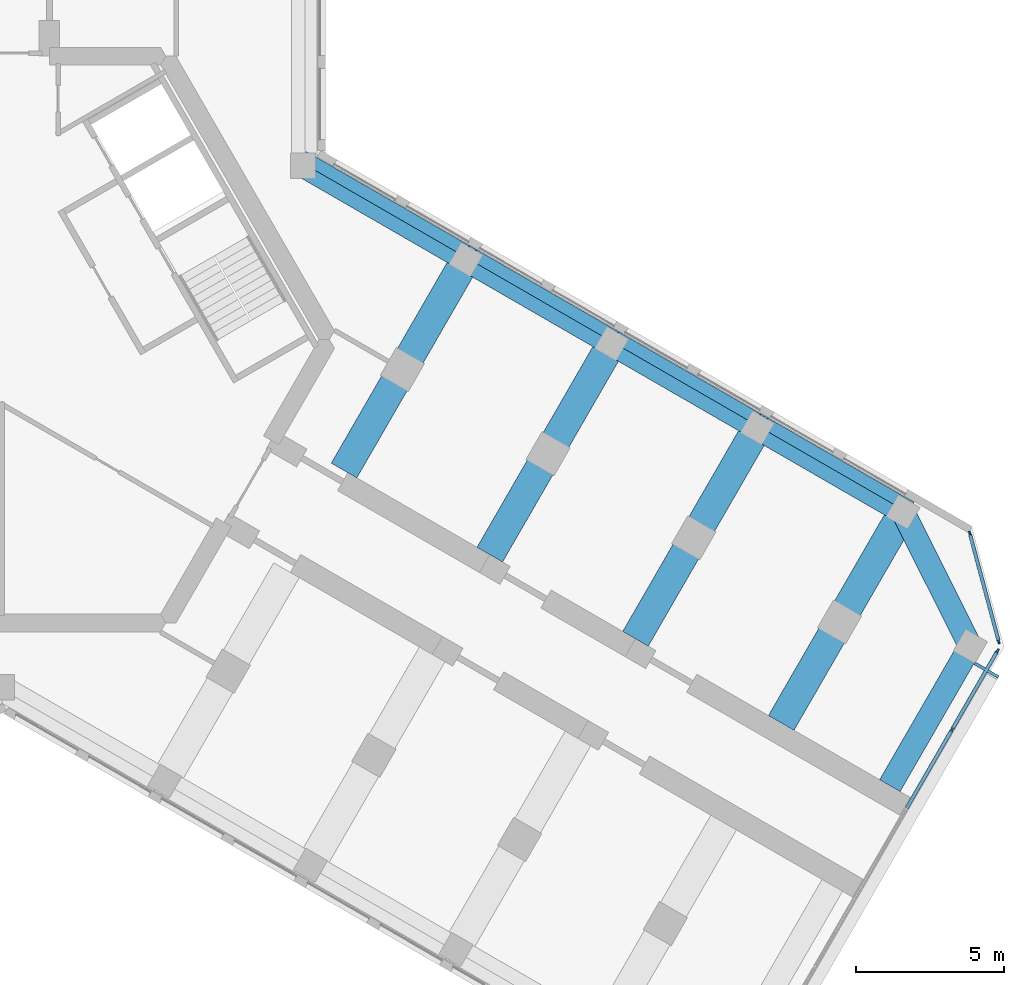
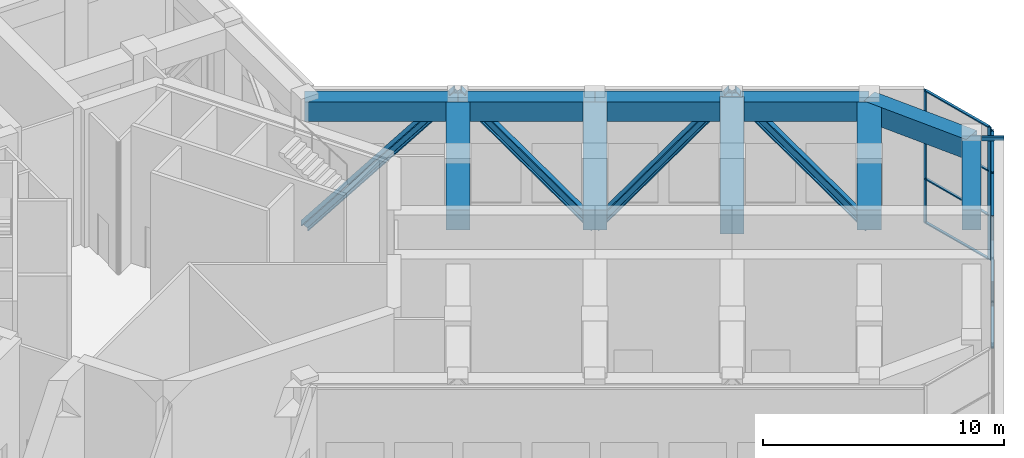
# One storey, part 5 of 12: 19 members, 10 beams, 2 elements without a shape of their own.
"""IFC4 building model written with IfcOpenShell, lengths in metres."""

from ifc_helpers import new_model, si_unit, direction, frame, origin, origin_2d, place, context, subcontext, project, spatial, rectangle, hollow_rectangle, i_section, extrude, material, material_profile, profile_set, type_object, element, aggregate, save


model = new_model("IFC4")

# Units and contexts
model_context = context("Model", 3, precision=1e-05, world=origin(), true_north=direction((0.0, 1.0)))
body_context = subcontext(model_context, "Body", "Model", "MODEL_VIEW")
ifc_project = project(units=[si_unit("LENGTHUNIT", "METRE"), si_unit("AREAUNIT", "SQUARE_METRE"), si_unit("VOLUMEUNIT", "CUBIC_METRE"), si_unit("PLANEANGLEUNIT", "RADIAN"), si_unit("MASSUNIT", "GRAM", prefix="KILO")], contexts=[model_context])

# Site, building, storey
site_placement = place(None, origin())
site = spatial("IfcSite", under=ifc_project, at=site_placement, CompositionType="ELEMENT")
building_placement = place(site_placement, origin())
building = spatial("IfcBuilding", under=site, at=building_placement, Name="Kosmar Iwan School Tower", CompositionType="ELEMENT")
storey_placement = place(building_placement, frame((0.0, 0.0, 260.39990234375)))
storey = spatial("IfcBuildingStorey", under=building, at=storey_placement, Name="L66", CompositionType="ELEMENT", Elevation=260.39990234375)

# Members
ifc_material_1 = material(Name="Steel S355", Category="steel")
ifc_material_profile_1 = material_profile(ifc_material_1, i_section(OverallWidth=0.404052734375, OverallDepth=0.406982421875, WebThickness=0.027099609375, FlangeThickness=0.043701171875, FilletRadius=0.014892578125, at=origin_2d()), Name="HD 400x347")
ifc_profile_set_1 = profile_set([ifc_material_profile_1], Name="Steel S355")
member_type_1 = type_object("IfcMemberType", Name="Belt truss diagonal HD 400x347", PredefinedType="BRACE", material=ifc_profile_set_1)
member_1_placement = place(storey_placement, frame((10.333984375, 6.12109375, 0.0), z_axis=(0.58945737682, -0.340314715823, 0.732615789556), x_axis=(0.49999045822, 0.866030912664, 0.0)))
element("IfcMember", 1, at=member_1_placement, inside=storey, type_object=member_type_1, Name="Belt truss diagonal CL1", PredefinedType="BRACE", context=body_context, shape_type="SweptSolid", body=[
    extrude(i_section(OverallWidth=0.404052734375, OverallDepth=0.406982421875, WebThickness=0.027099609375, FlangeThickness=0.043701171875, FilletRadius=0.014892578125, at=origin_2d()), origin(), (0.0, 0.0, 1.0), 9.345458984375),
])
member_2_placement = place(storey_placement, frame((15.8427734375, 2.940673828125, 6.8466796875), z_axis=(0.554089507347, -0.319918933121, -0.768528915577), x_axis=(0.50001782563, 0.866015111908, 0.0)))
element("IfcMember", 2, at=member_2_placement, inside=storey, type_object=member_type_1, Name="Belt truss diagonal CL2", PredefinedType="BRACE", context=body_context, shape_type="SweptSolid", body=[
    extrude(i_section(OverallWidth=0.404052734375, OverallDepth=0.406982421875, WebThickness=0.027099609375, FlangeThickness=0.043701171875, FilletRadius=0.014892578125, at=origin_2d()), origin(), (0.0, 0.0, 1.0), 8.90869140625),
])
member_3_placement = place(storey_placement, frame((20.779052734375, 0.090576171875, 0.0), z_axis=(0.554108497746, -0.319914075306, 0.768517245835), x_axis=(0.499999279071, 0.866025820012, 0.0)))
element("IfcMember", 3, at=member_3_placement, inside=storey, type_object=member_type_1, Name="Belt truss diagonal CL3", PredefinedType="BRACE", context=body_context, shape_type="SweptSolid", body=[
    extrude(i_section(OverallWidth=0.404052734375, OverallDepth=0.406982421875, WebThickness=0.027099609375, FlangeThickness=0.043701171875, FilletRadius=0.014892578125, at=origin_2d()), origin(), (0.0, 0.0, 1.0), 8.908935546875),
])
member_4_placement = place(storey_placement, frame((25.715576171875, -2.759521484375, 6.8466796875), z_axis=(0.554094365009, -0.319894333189, -0.768535653213), x_axis=(0.49998570155, 0.866033658841, 0.0)))
element("IfcMember", 4, at=member_4_placement, inside=storey, type_object=member_type_1, Name="Belt truss diagonal CL4", PredefinedType="BRACE", context=body_context, shape_type="SweptSolid", body=[
    extrude(i_section(OverallWidth=0.404052734375, OverallDepth=0.406982421875, WebThickness=0.027099609375, FlangeThickness=0.043701171875, FilletRadius=0.014892578125, at=origin_2d()), origin(), (0.0, 0.0, 1.0), 8.90869140625),
])

# Beams
ifc_material_2 = material(Name="Concrete C50/60", Category="concrete")
ifc_material_profile_2 = material_profile(ifc_material_2, rectangle(XDim=0.800048828125, YDim=1.0, at=origin_2d()), Name="RC 800x1000 + HD 400x634")
ifc_profile_set_2 = profile_set([ifc_material_profile_2], Name="Concrete C50/60")
beam_type_1 = type_object("IfcBeamType", Name="Composite edge beam 800x1000 HD 400x634", PredefinedType="BEAM", material=ifc_profile_set_2)
beam_1_placement = place(storey_placement, frame((10.199951171875, 5.888916015625, 6.25), z_axis=(0.866030912664, -0.49999045822, 0.0), x_axis=(0.49999045822, 0.866030912664, 0.0)))
element("IfcBeam", 5, at=beam_1_placement, inside=storey, type_object=beam_type_1, Name="Edge beam CL1", PredefinedType="BEAM", context=body_context, shape_type="SweptSolid", body=[
    extrude(rectangle(XDim=0.800048828125, YDim=1.0, at=origin_2d()), origin(), (0.0, 0.0, 1.0), 6.36083984375),
])
beam_2_placement = place(storey_placement, frame((15.708740234375, 2.70849609375, 6.25), z_axis=(0.866025820012, -0.499999279071, 0.0), x_axis=(0.499999279071, 0.866025820012, 0.0)))
element("IfcBeam", 6, at=beam_2_placement, inside=storey, type_object=beam_type_1, Name="Edge beam CL2", PredefinedType="BEAM", context=body_context, shape_type="SweptSolid", body=[
    extrude(rectangle(XDim=0.800048828125, YDim=1.0, at=origin_2d()), origin(), (0.0, 0.0, 1.0), 5.7001953125),
])
for number, where, z_axis, x_axis, name in (
    (7, (20.645263671875, -0.1416015625, 6.25), (0.866033658841, -0.49998570155, 0.0), (0.49998570155, 0.866033658841, 0.0), "Edge beam CL3"),
    (8, (25.58154296875, -2.991455078125, 6.25), (0.866015111908, -0.50001782563, 0.0), (0.50001782563, 0.866015111908, 0.0), "Edge beam CL4"),
):
    element("IfcBeam", number, at=place(storey_placement, frame(where, z_axis=z_axis, x_axis=x_axis)), inside=storey, type_object=beam_type_1, Name=name, PredefinedType="BEAM", context=body_context, shape_type="SweptSolid", body=[
        extrude(rectangle(XDim=0.800048828125, YDim=1.0, at=origin_2d()), origin(), (0.0, 0.0, 1.0), 5.699951171875),
    ])
ifc_material_3 = material(Name="Concrete C50/60", Category="concrete")
ifc_material_profile_3 = material_profile(ifc_material_3, rectangle(XDim=1.0, YDim=1.199951171875, at=origin_2d()), Name="RC 1000x1200 + HD 400x634")
ifc_profile_set_3 = profile_set([ifc_material_profile_3], Name="Concrete C50/60")
beam_type_2 = type_object("IfcBeamType", Name="Composite transfer beam 1000x1200 HD 400x634", PredefinedType="BEAM", material=ifc_profile_set_3)
beam_3_placement = place(storey_placement, frame((25.58154296875, -2.991455078125, 6.150146484375), z_axis=(-0.499996545922, -0.866027397988, 0.0), x_axis=(0.866027397988, -0.499996545922, 0.0)))
element("IfcBeam", 9, at=beam_3_placement, inside=storey, type_object=beam_type_2, Name="Transfer beam CL3", PredefinedType="BEAM", context=body_context, shape_type="SweptSolid", body=[
    extrude(rectangle(XDim=1.0, YDim=1.199951171875, at=origin_2d()), origin(), (0.0, 0.0, 1.0), 8.25),
])
ifc_material_4 = material(Name="Concrete C50/60", Category="concrete")
ifc_material_profile_4 = material_profile(ifc_material_4, rectangle(XDim=1.0, YDim=1.0, at=origin_2d()), Name="RC 1000x1000 + HD 400x347")
ifc_profile_set_4 = profile_set([ifc_material_profile_4], Name="Concrete C50/60")
beam_type_3 = type_object("IfcBeamType", Name="Composite transverse beam 1000x1000 HD 400x347", PredefinedType="BEAM", material=ifc_profile_set_4)
beam_4_placement = place(storey_placement, frame((15.708740234375, 2.70849609375, 6.25), z_axis=(-0.499996545922, -0.866027397988, 0.0), x_axis=(0.866027397988, -0.499996545922, 0.0)))
element("IfcBeam", 10, at=beam_4_placement, inside=storey, type_object=beam_type_3, Name="Transverse beam CL1", PredefinedType="BEAM", context=body_context, shape_type="SweptSolid", body=[
    extrude(rectangle(XDim=1.0, YDim=1.0, at=origin_2d()), origin(), (0.0, 0.0, 1.0), 8.25),
])
beam_5_placement = place(storey_placement, frame((20.645263671875, -0.1416015625, 6.25), z_axis=(-0.500009360108, -0.866019999656, 0.0), x_axis=(0.866019999656, -0.500009360108, 0.0)))
element("IfcBeam", 11, at=beam_5_placement, inside=storey, type_object=beam_type_3, Name="Transverse beam CL2", PredefinedType="BEAM", context=body_context, shape_type="SweptSolid", body=[
    extrude(rectangle(XDim=1.0, YDim=1.0, at=origin_2d()), origin(), (0.0, 0.0, 1.0), 8.249755859375),
])
beam_6_placement = place(storey_placement, frame((30.517822265625, -5.841552734375, 6.25), z_axis=(-0.499996545922, -0.866027397988, 0.0), x_axis=(0.866027397988, -0.499996545922, 0.0)))
element("IfcBeam", 12, at=beam_6_placement, inside=storey, type_object=beam_type_3, Name="Transverse beam CL4", PredefinedType="BEAM", context=body_context, shape_type="SweptSolid", body=[
    extrude(rectangle(XDim=1.0, YDim=1.0, at=origin_2d()), origin(), (0.0, 0.0, 1.0), 8.25),
])

# Member
ifc_material_5 = material(Name="Steel S355", Category="steel")
ifc_material_profile_5 = material_profile(ifc_material_5, hollow_rectangle(XDim=0.10009765625, YDim=0.199951171875, WallThickness=0.008056640625, at=origin_2d()), Name="RHS 200x100x8")
ifc_profile_set_5 = profile_set([ifc_material_profile_5], Name="Steel S355")
member_type_2 = type_object("IfcMemberType", Name="Fin bracket RHS 200x100", PredefinedType="USERDEFINED", material=ifc_profile_set_5)
member_5_placement = place(storey_placement, frame((32.9541015625, -10.971923828125, 6.875), z_axis=(0.865943820382, -0.500141279983, 0.0), x_axis=(0.500141279983, 0.865943820382, 0.0)))
element("IfcMember", 13, at=member_5_placement, inside=storey, type_object=member_type_2, Name="Fin bracket L67", ObjectType="FIN BRACKET", PredefinedType="USERDEFINED", context=body_context, shape_type="SweptSolid", body=[
    extrude(hollow_rectangle(XDim=0.10009765625, YDim=0.199951171875, WallThickness=0.008056640625, at=origin_2d()), origin(), (0.0, 0.0, 1.0), 0.925048828125),
])

# Curtain wall, members
ifc_material_6 = material(Name="Black aluminium louvres and glass", Category="aluminium")
curtain_wall_type_1 = type_object("IfcCurtainWallType", Name="Plant floor louvred curtain wall", PredefinedType="USERDEFINED", material=ifc_material_6)
curtain_wall_1_placement = place(storey_placement, origin())
curtain_wall_1 = element("IfcCurtainWall", 14, at=curtain_wall_1_placement, inside=storey, type_object=curtain_wall_type_1, Name="Curtain wall L66-F01", ObjectType="LOUVRED CURTAIN WALL", PredefinedType="USERDEFINED")
ifc_material_7 = material(Name="Black anodised aluminium", Category="aluminium")
ifc_material_profile_6 = material_profile(ifc_material_7, rectangle(XDim=0.06005859375, YDim=0.159912109375, at=origin_2d()), Name="MULLION 60x160")
ifc_profile_set_6 = profile_set([ifc_material_profile_6], Name="Black anodised aluminium")
member_type_3 = type_object("IfcMemberType", Name="Mullion 60x160", PredefinedType="MULLION", material=ifc_profile_set_6)
member_6_placement = place(storey_placement, frame((32.1806640625, -13.21142578125, 0.0), z_axis=(0.0, 0.0, 1.0), x_axis=(-0.866025405329, 0.499999997325, 0.0)))
member_6 = element("IfcMember", 15, at=member_6_placement, type_object=member_type_3, Name="CW4 mullion 5", PredefinedType="MULLION", context=body_context, shape_type="SweptSolid", body=[
    extrude(rectangle(XDim=0.06005859375, YDim=0.159912109375, at=origin_2d()), origin(), (0.0, 0.0, 1.0), 6.75),
])
member_7_placement = place(storey_placement, frame((33.71533203125, -10.55322265625, 0.0), z_axis=(0.0, 0.0, 1.0), x_axis=(-0.866025405329, 0.499999997325, 0.0)))
member_7 = element("IfcMember", 16, at=member_7_placement, type_object=member_type_3, Name="CW4 mullion 6", PredefinedType="MULLION", context=body_context, shape_type="SweptSolid", body=[
    extrude(rectangle(XDim=0.06005859375, YDim=0.159912109375, at=origin_2d()), origin(), (0.0, 0.0, 1.0), 6.75),
])

ifc_material_8 = material(Name="Dark glass in black aluminium frame", Category="aluminium")
curtain_wall_type_2 = type_object("IfcCurtainWallType", Name="Chamfer curtain wall dark glass", PredefinedType="USERDEFINED", material=ifc_material_8)
curtain_wall_2_placement = place(storey_placement, origin())
curtain_wall_2 = element("IfcCurtainWall", 17, at=curtain_wall_2_placement, inside=storey, type_object=curtain_wall_type_2, Name="Curtain wall L66-F02", ObjectType="FACETED CURTAIN WALL", PredefinedType="USERDEFINED")
member_8_placement = place(storey_placement, frame((33.7587890625, -10.2236328125, 0.0), z_axis=(0.0, 0.0, 1.0), x_axis=(-0.965925875495, -0.258818861462, 0.0)))
member_8 = element("IfcMember", 18, at=member_8_placement, type_object=member_type_3, Name="CW2 mullion 1", PredefinedType="MULLION", context=body_context, shape_type="SweptSolid", body=[
    extrude(rectangle(XDim=0.06005859375, YDim=0.159912109375, at=origin_2d()), origin(), (0.0, 0.0, 1.0), 6.75),
])
member_9_placement = place(storey_placement, frame((32.78076171875, -6.5732421875, 0.0), z_axis=(0.0, 0.0, 1.0), x_axis=(-0.965925875495, -0.258818861462, 0.0)))
member_9 = element("IfcMember", 19, at=member_9_placement, type_object=member_type_3, Name="CW2 mullion 2", PredefinedType="MULLION", context=body_context, shape_type="SweptSolid", body=[
    extrude(rectangle(XDim=0.06005859375, YDim=0.159912109375, at=origin_2d()), origin(), (0.0, 0.0, 1.0), 6.75),
])

# Beams
ifc_material_9 = material(Name="Concrete C50/60", Category="concrete")
ifc_material_profile_7 = material_profile(ifc_material_9, rectangle(XDim=0.800048828125, YDim=1.0, at=origin_2d()), Name="RC 800x1000")
ifc_profile_set_7 = profile_set([ifc_material_profile_7], Name="Concrete C50/60")
beam_type_4 = type_object("IfcBeamType", Name="RC tip beam 800x1000", PredefinedType="BEAM", material=ifc_profile_set_7)
beam_7_placement = place(storey_placement, frame((30.517822265625, -5.841552734375, 6.25), z_axis=(0.44809604203, -0.893985423325, 0.0), x_axis=(0.893985423325, 0.44809604203, 0.0)))
element("IfcBeam", 20, at=beam_7_placement, inside=storey, type_object=beam_type_4, Name="Tip beam CL", PredefinedType="BEAM", context=body_context, shape_type="SweptSolid", body=[
    extrude(rectangle(XDim=0.800048828125, YDim=1.0, at=origin_2d()), origin(), (0.0, 0.0, 1.0), 5.08935546875),
])
beam_8_placement = place(storey_placement, frame((32.79833984375, -10.391357421875, 6.25), z_axis=(-0.49996933381, -0.866043108194, 0.0), x_axis=(0.866043108194, -0.49996933381, 0.0)))
element("IfcBeam", 21, at=beam_8_placement, inside=storey, type_object=beam_type_4, Name="Tip beam CL to corridor wall", PredefinedType="BEAM", context=body_context, shape_type="SweptSolid", body=[
    extrude(rectangle(XDim=0.800048828125, YDim=1.0, at=origin_2d()), origin(), (0.0, 0.0, 1.0), 5.449951171875),
])

# Member
ifc_material_10 = material(Name="Black anodised aluminium", Category="aluminium")
ifc_material_profile_8 = material_profile(ifc_material_10, rectangle(XDim=0.1201171875, YDim=0.06005859375, at=origin_2d()), Name="TRANSOM 60x120")
ifc_profile_set_8 = profile_set([ifc_material_profile_8], Name="Black anodised aluminium")
member_type_4 = type_object("IfcMemberType", Name="Transom 60x120", PredefinedType="USERDEFINED", material=ifc_profile_set_8)
member_10_placement = place(storey_placement, frame((30.64599609375, -15.869384765625, 0.030029296875), z_axis=(0.500035348339, 0.866004994449, 0.0), x_axis=(-0.866004994449, 0.500035348339, 0.0)))
member_10 = element("IfcMember", 22, at=member_10_placement, type_object=member_type_4, Name="CW4 transom 4.1", ObjectType="TRANSOM", PredefinedType="USERDEFINED", context=body_context, shape_type="SweptSolid", body=[
    extrude(rectangle(XDim=0.1201171875, YDim=0.06005859375, at=origin_2d()), origin(), (0.0, 0.0, 1.0), 3.039306640625),
])

member_11_placement = place(storey_placement, frame((30.64599609375, -15.869384765625, 3.375), z_axis=(0.500035348339, 0.866004994449, 0.0), x_axis=(-0.866004994449, 0.500035348339, 0.0)))
member_11 = element("IfcMember", 23, at=member_11_placement, type_object=member_type_4, Name="CW4 transom 4.2", ObjectType="TRANSOM", PredefinedType="USERDEFINED", context=body_context, shape_type="SweptSolid", body=[
    extrude(rectangle(XDim=0.1201171875, YDim=0.06005859375, at=origin_2d()), origin(), (0.0, 0.0, 1.0), 3.039306640625),
])

member_12_placement = place(storey_placement, frame((30.64599609375, -15.869384765625, 6.72021484375), z_axis=(0.500035348339, 0.866004994449, 0.0), x_axis=(-0.866004994449, 0.500035348339, 0.0)))
member_12 = element("IfcMember", 24, at=member_12_placement, type_object=member_type_4, Name="CW4 transom 4.3", ObjectType="TRANSOM", PredefinedType="USERDEFINED", context=body_context, shape_type="SweptSolid", body=[
    extrude(rectangle(XDim=0.1201171875, YDim=0.06005859375, at=origin_2d()), origin(), (0.0, 0.0, 1.0), 3.039306640625),
])

member_13_placement = place(storey_placement, frame((32.19580078125, -13.185302734375, 0.030029296875), z_axis=(0.500022102064, 0.866012642776, 0.0), x_axis=(-0.866012642776, 0.500022102064, 0.0)))
member_13 = element("IfcMember", 25, at=member_13_placement, type_object=member_type_4, Name="CW4 transom 5.1", ObjectType="TRANSOM", PredefinedType="USERDEFINED", context=body_context, shape_type="SweptSolid", body=[
    extrude(rectangle(XDim=0.1201171875, YDim=0.06005859375, at=origin_2d()), origin(), (0.0, 0.0, 1.0), 3.009033203125),
])

member_14_placement = place(storey_placement, frame((32.19580078125, -13.185302734375, 3.375), z_axis=(0.500022102064, 0.866012642776, 0.0), x_axis=(-0.866012642776, 0.500022102064, 0.0)))
member_14 = element("IfcMember", 26, at=member_14_placement, type_object=member_type_4, Name="CW4 transom 5.2", ObjectType="TRANSOM", PredefinedType="USERDEFINED", context=body_context, shape_type="SweptSolid", body=[
    extrude(rectangle(XDim=0.1201171875, YDim=0.06005859375, at=origin_2d()), origin(), (0.0, 0.0, 1.0), 3.009033203125),
])

member_15_placement = place(storey_placement, frame((32.19580078125, -13.185302734375, 6.72021484375), z_axis=(0.500022102064, 0.866012642776, 0.0), x_axis=(-0.866012642776, 0.500022102064, 0.0)))
member_15 = element("IfcMember", 27, at=member_15_placement, type_object=member_type_4, Name="CW4 transom 5.3", ObjectType="TRANSOM", PredefinedType="USERDEFINED", context=body_context, shape_type="SweptSolid", body=[
    extrude(rectangle(XDim=0.1201171875, YDim=0.06005859375, at=origin_2d()), origin(), (0.0, 0.0, 1.0), 3.009033203125),
])

aggregate(curtain_wall_1, [member_6, member_7, member_10, member_11, member_12, member_13, member_14, member_15])

member_16_placement = place(storey_placement, frame((33.7509765625, -10.194580078125, 0.030029296875), z_axis=(-0.258843273983, 0.965919333854, 0.0), x_axis=(-0.965919333854, -0.258843273983, 0.0)))
member_16 = element("IfcMember", 28, at=member_16_placement, type_object=member_type_4, Name="CW2 transom 1.1", ObjectType="TRANSOM", PredefinedType="USERDEFINED", context=body_context, shape_type="SweptSolid", body=[
    extrude(rectangle(XDim=0.1201171875, YDim=0.06005859375, at=origin_2d()), origin(), (0.0, 0.0, 1.0), 3.718994140625),
])

member_17_placement = place(storey_placement, frame((33.7509765625, -10.194580078125, 2.25), z_axis=(-0.258843273983, 0.965919333854, 0.0), x_axis=(-0.965919333854, -0.258843273983, 0.0)))
member_17 = element("IfcMember", 29, at=member_17_placement, type_object=member_type_4, Name="CW2 transom 1.2", ObjectType="TRANSOM", PredefinedType="USERDEFINED", context=body_context, shape_type="SweptSolid", body=[
    extrude(rectangle(XDim=0.1201171875, YDim=0.06005859375, at=origin_2d()), origin(), (0.0, 0.0, 1.0), 3.718994140625),
])

member_18_placement = place(storey_placement, frame((33.7509765625, -10.194580078125, 4.5), z_axis=(-0.258843273983, 0.965919333854, 0.0), x_axis=(-0.965919333854, -0.258843273983, 0.0)))
member_18 = element("IfcMember", 30, at=member_18_placement, type_object=member_type_4, Name="CW2 transom 1.3", ObjectType="TRANSOM", PredefinedType="USERDEFINED", context=body_context, shape_type="SweptSolid", body=[
    extrude(rectangle(XDim=0.1201171875, YDim=0.06005859375, at=origin_2d()), origin(), (0.0, 0.0, 1.0), 3.718994140625),
])

member_19_placement = place(storey_placement, frame((33.7509765625, -10.194580078125, 6.72021484375), z_axis=(-0.258843273983, 0.965919333854, 0.0), x_axis=(-0.965919333854, -0.258843273983, 0.0)))
member_19 = element("IfcMember", 31, at=member_19_placement, type_object=member_type_4, Name="CW2 transom 1.4", ObjectType="TRANSOM", PredefinedType="USERDEFINED", context=body_context, shape_type="SweptSolid", body=[
    extrude(rectangle(XDim=0.1201171875, YDim=0.06005859375, at=origin_2d()), origin(), (0.0, 0.0, 1.0), 3.718994140625),
])

aggregate(curtain_wall_2, [member_8, member_9, member_16, member_17, member_18, member_19])

save(model, "model.ifc")
